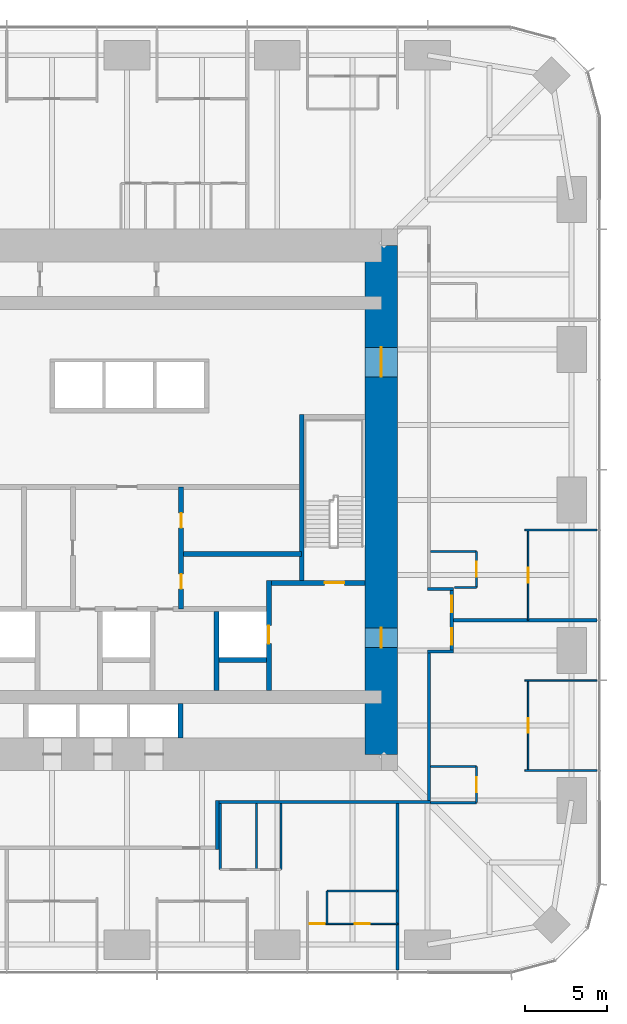
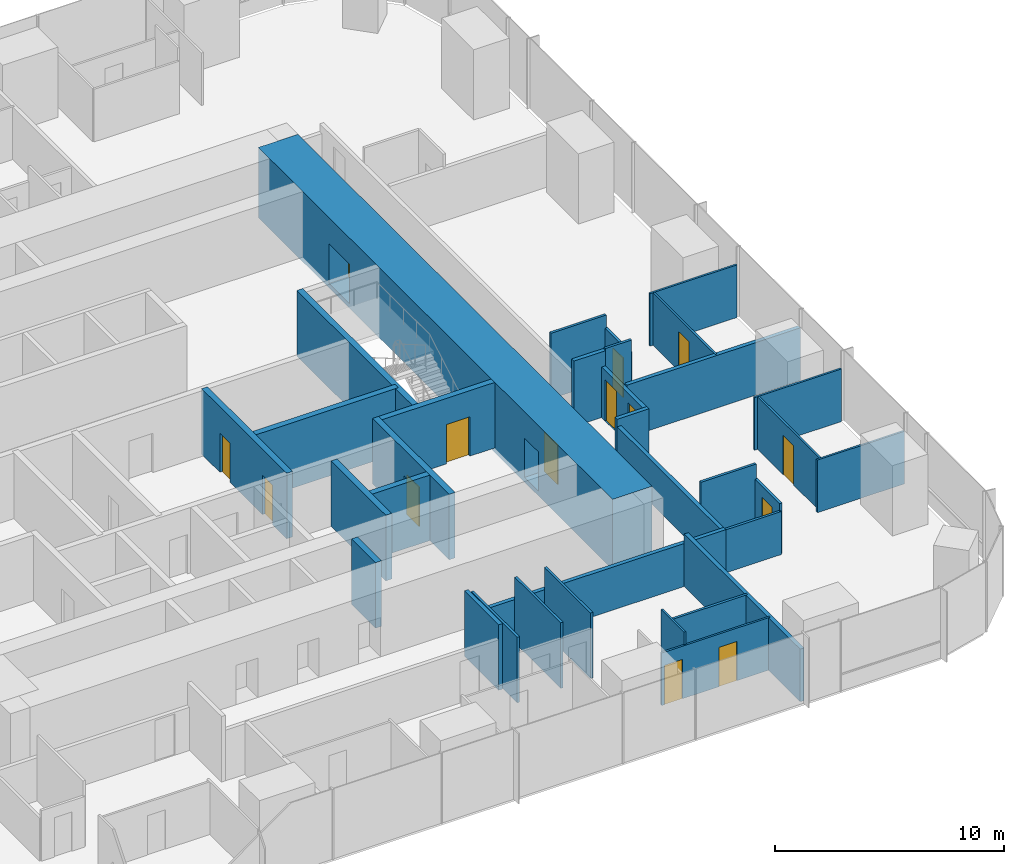
# One storey, part 10 of 13: 34 walls, 14 doors, 14 openings.
"""IFC4 building model written with IfcOpenShell, lengths in metres."""

from ifc_helpers import new_model, si_unit, direction, frame, frame_2d, origin, place, context, subcontext, project, spatial, rectangle, extrude, material, layer, layer_set, type_object, element, fill, save


model = new_model("IFC4")

# Units and contexts
model_context = context("Model", 3, precision=1e-05, world=origin(), true_north=direction((0.0, 1.0)))
body_context = subcontext(model_context, "Body", "Model", "MODEL_VIEW")
ifc_project = project(units=[si_unit("LENGTHUNIT", "METRE"), si_unit("AREAUNIT", "SQUARE_METRE"), si_unit("VOLUMEUNIT", "CUBIC_METRE"), si_unit("PLANEANGLEUNIT", "RADIAN"), si_unit("MASSUNIT", "GRAM", prefix="KILO")], contexts=[model_context])

# Site, building, storey
site_placement = place(None, origin())
site = spatial("IfcSite", under=ifc_project, at=site_placement, CompositionType="ELEMENT")
building_placement = place(site_placement, origin())
building = spatial("IfcBuilding", under=site, at=building_placement, Name="Khuree Lantern Residences", CompositionType="ELEMENT")
storey_placement = place(building_placement, frame((0.0, 0.0, 144.75)))
storey = spatial("IfcBuildingStorey", under=building, at=storey_placement, Name="L36", CompositionType="ELEMENT", Elevation=144.75)

# Wall, opening, door
ifc_material_1 = material(Name="Moisture-resistant gypsum board on steel studs", Category="steel")
ifc_layer_1 = layer(ifc_material_1, 0.125)
ifc_layer_set_1 = layer_set([ifc_layer_1], Name="BATHROOM WALL BTW125")
wall_type_1 = type_object("IfcWallType", Name="BATHROOM WALL BTW125", PredefinedType="PARTITIONING", material=ifc_layer_set_1)
wall_1_placement = place(storey_placement, frame((21.300048828125, -5.327880859375, 0.0), z_axis=(0.0, 0.0, 1.0), x_axis=(0.0, 1.0, 0.0)))
wall_1 = element("IfcWall", 1, at=wall_1_placement, inside=storey, type_object=wall_type_1, Name="L36 BATHROOM WALL 01", PredefinedType="PARTITIONING", context=body_context, shape_type="SweptSolid", body=[
    extrude(rectangle(XDim=2.199951171875, YDim=0.125, at=frame_2d((1.10009765625, 0.0))), origin(), (0.0, 0.0, 1.0), 2.81005859375),
])
opening_1_placement = place(wall_1_placement, frame((0.64990234375, 0.0, 0.0)))
opening_1 = element("IfcOpeningElement", 2, at=opening_1_placement, cuts=wall_1, Name="Opening 36-024", PredefinedType="OPENING", context=body_context, shape_type="SweptSolid", body=[
    extrude(rectangle(XDim=0.89990234375, YDim=2.10009765625, at=frame_2d((0.449951171875, 1.050048828125))), frame((0.0, 0.072509765625, 0.0), z_axis=(0.0, -1.0, 0.0), x_axis=(1.0, 0.0, 0.0)), (0.0, 0.0, 1.0), 0.14501953125),
])
ifc_material_2 = material(Name="Timber door leaf in hardwood frame", Category="wood")
door_type_1 = type_object("IfcDoorType", Name="BATHROOM DOOR 900X2100", OperationType="SINGLE_SWING_LEFT", PredefinedType="DOOR", material=ifc_material_2)
door_1_placement = place(opening_1_placement, origin())
door_1 = element("IfcDoor", 3, at=door_1_placement, inside=storey, type_object=door_type_1, Name="Bathroom door 36-024", OperationType="SINGLE_SWING_LEFT", OverallHeight=2.10009765625, OverallWidth=0.89990234375, PredefinedType="DOOR", context=body_context, shape_type="SweptSolid", body=[
    extrude(rectangle(XDim=0.89990234375, YDim=2.10009765625, at=frame_2d((0.449951171875, 1.050048828125))), frame((0.0, 0.02490234375, 0.0), z_axis=(0.0, -1.0, 0.0), x_axis=(1.0, 0.0, 0.0)), (0.0, 0.0, 1.0), 0.050048828125),
])
fill(opening_1, door_1)

# Walls
wall_2_placement = place(storey_placement, frame((19.969970703125, -5.327880859375, 0.0), z_axis=(0.0, 0.0, 1.0), x_axis=(1.0, 0.0, 0.0)))
element("IfcWall", 4, at=wall_2_placement, inside=storey, type_object=wall_type_1, Name="L36 BATHROOM WALL 01", PredefinedType="PARTITIONING", context=body_context, shape_type="SweptSolid", body=[
    extrude(rectangle(XDim=1.330078125, YDim=0.125, at=frame_2d((0.6650390625, 0.0))), origin(), (0.0, 0.0, 1.0), 3.5),
])
wall_3_placement = place(storey_placement, frame((18.5, -3.1279296875, 0.0), z_axis=(0.0, 0.0, 1.0), x_axis=(1.0, 0.0, 0.0)))
element("IfcWall", 5, at=wall_3_placement, inside=storey, type_object=wall_type_1, Name="L36 BATHROOM WALL 01", PredefinedType="PARTITIONING", context=body_context, shape_type="SweptSolid", body=[
    extrude(rectangle(XDim=2.800048828125, YDim=0.125, at=frame_2d((1.39990234375, 0.0))), origin(), (0.0, 0.0, 1.0), 3.5),
])
wall_4_placement = place(storey_placement, frame((12.19189453125, -23.829833984375, 0.0), z_axis=(0.0, 0.0, 1.0), x_axis=(1.0, 0.0, 0.0)))
element("IfcWall", 6, at=wall_4_placement, inside=storey, type_object=wall_type_1, Name="L36 BATHROOM WALL 06", PredefinedType="PARTITIONING", context=body_context, shape_type="SweptSolid", body=[
    extrude(rectangle(XDim=4.296142578125, YDim=0.125, at=frame_2d((2.14794921875, 0.0))), origin(), (0.0, 0.0, 1.0), 2.81005859375),
])
for number, where, z_axis, x_axis, name in (
    (7, (5.68359375, -18.5, 0.0), (0.0, 0.0, 1.0), (0.0, -1.0, 0.0), "L36 BATHROOM WALL 06"),
    (8, (7.883544921875, -18.5, 0.0), (0.0, 0.0, 1.0), (0.0, -1.0, 0.0), "L36 BATHROOM WALL 06"),
    (9, (9.383544921875, -18.5, 0.0), (0.0, 0.0, 1.0), (0.0, -1.0, 0.0), "L36 BATHROOM WALL 06"),
):
    element("IfcWall", number, at=place(storey_placement, frame(where, z_axis=z_axis, x_axis=x_axis)), inside=storey, type_object=wall_type_1, Name=name, PredefinedType="PARTITIONING", context=body_context, shape_type="SweptSolid", body=[
        extrude(rectangle(XDim=4.02978515625, YDim=0.125, at=frame_2d((2.014892578125, 0.0))), origin(), (0.0, 0.0, 1.0), 3.5),
    ])

# Wall, opening, door
wall_5_placement = place(storey_placement, frame((21.300048828125, -18.449951171875, 0.0), z_axis=(0.0, 0.0, 1.0), x_axis=(0.0, 1.0, 0.0)))
wall_5 = element("IfcWall", 10, at=wall_5_placement, inside=storey, type_object=wall_type_1, Name="L36 BATHROOM WALL 07", PredefinedType="PARTITIONING", context=body_context, shape_type="SweptSolid", body=[
    extrude(rectangle(XDim=2.199951171875, YDim=0.125, at=frame_2d((1.10009765625, 0.0))), origin(), (0.0, 0.0, 1.0), 2.699951171875),
])
opening_2_placement = place(wall_5_placement, frame((0.64990234375, 0.0, 0.0)))
opening_2 = element("IfcOpeningElement", 11, at=opening_2_placement, cuts=wall_5, Name="Opening 36-060", PredefinedType="OPENING", context=body_context, shape_type="SweptSolid", body=[
    extrude(rectangle(XDim=0.89990234375, YDim=2.10009765625, at=frame_2d((0.449951171875, 1.050048828125))), frame((0.0, 0.072509765625, 0.0), z_axis=(0.0, -1.0, 0.0), x_axis=(1.0, 0.0, 0.0)), (0.0, 0.0, 1.0), 0.14501953125),
])
door_2_placement = place(opening_2_placement, origin())
door_2 = element("IfcDoor", 12, at=door_2_placement, inside=storey, type_object=door_type_1, Name="Bathroom door 36-060", OperationType="SINGLE_SWING_LEFT", OverallHeight=2.10009765625, OverallWidth=0.89990234375, PredefinedType="DOOR", context=body_context, shape_type="SweptSolid", body=[
    extrude(rectangle(XDim=0.89990234375, YDim=2.10009765625, at=frame_2d((0.449951171875, 1.050048828125))), frame((0.0, 0.02490234375, 0.0), z_axis=(0.0, -1.0, 0.0), x_axis=(1.0, 0.0, 0.0)), (0.0, 0.0, 1.0), 0.050048828125),
])
fill(opening_2, door_2)

# Walls
wall_6_placement = place(storey_placement, frame((18.5, -18.449951171875, 0.0), z_axis=(0.0, 0.0, 1.0), x_axis=(1.0, 0.0, 0.0)))
element("IfcWall", 13, at=wall_6_placement, inside=storey, type_object=wall_type_1, Name="L36 BATHROOM WALL 07", PredefinedType="PARTITIONING", context=body_context, shape_type="SweptSolid", body=[
    extrude(rectangle(XDim=2.800048828125, YDim=0.125, at=frame_2d((1.39990234375, 0.0))), origin(), (0.0, 0.0, 1.0), 2.300048828125),
])
wall_7_placement = place(storey_placement, frame((18.5, -16.25, 0.0), z_axis=(0.0, 0.0, 1.0), x_axis=(1.0, 0.0, 0.0)))
element("IfcWall", 14, at=wall_7_placement, inside=storey, type_object=wall_type_1, Name="L36 BATHROOM WALL 07", PredefinedType="PARTITIONING", context=body_context, shape_type="SweptSolid", body=[
    extrude(rectangle(XDim=2.800048828125, YDim=0.125, at=frame_2d((1.39990234375, 0.0))), origin(), (0.0, 0.0, 1.0), 3.5),
])

# Wall, opening, door
ifc_material_3 = material(Name="Dense concrete blockwork", Category="masonry")
ifc_layer_2 = layer(ifc_material_3, 0.300048828125)
ifc_layer_set_2 = layer_set([ifc_layer_2], Name="CORE PARTITION WALL CPW300 EI 120")
wall_type_2 = type_object("IfcWallType", Name="CORE PARTITION WALL CPW300 EI 120", PredefinedType="PARTITIONING", material=ifc_layer_set_2)
wall_8_placement = place(storey_placement, frame((8.64990234375, -11.60009765625, 0.0), z_axis=(0.0, 0.0, 1.0), x_axis=(0.0, 1.0, 0.0)))
wall_8 = element("IfcWall", 15, at=wall_8_placement, inside=storey, type_object=wall_type_2, Name="L36 CORE WALL FL2E", PredefinedType="PARTITIONING", context=body_context, shape_type="SweptSolid", body=[
    extrude(rectangle(XDim=6.7001953125, YDim=0.300048828125, at=frame_2d((3.35009765625, 0.0))), origin(), (0.0, 0.0, 1.0), 3.5),
])
opening_3_placement = place(wall_8_placement, frame((2.85009765625, 0.0, 0.0)))
opening_3 = element("IfcOpeningElement", 16, at=opening_3_placement, cuts=wall_8, Name="Opening 36-008", PredefinedType="OPENING", context=body_context, shape_type="SweptSolid", body=[
    extrude(rectangle(XDim=1.10009765625, YDim=2.10009765625, at=frame_2d((0.550048828125, 1.050048828125))), frame((0.0, 0.16015625, 0.0), z_axis=(0.0, -1.0, 0.0), x_axis=(1.0, 0.0, 0.0)), (0.0, 0.0, 1.0), 0.320068359375),
])
ifc_material_4 = material(Name="Stainless steel lift landing door", Category="steel")
door_type_2 = type_object("IfcDoorType", Name="LIFT LANDING DOOR 1100X2100 E 120", OperationType="DOUBLE_DOOR_SLIDING", PredefinedType="DOOR", material=ifc_material_4)
door_3_placement = place(opening_3_placement, origin())
door_3 = element("IfcDoor", 17, at=door_3_placement, inside=storey, type_object=door_type_2, Name="Landing door FL2 36-008", OperationType="DOUBLE_DOOR_SLIDING", OverallHeight=2.10009765625, OverallWidth=1.10009765625, PredefinedType="DOOR", context=body_context, shape_type="SweptSolid", body=[
    extrude(rectangle(XDim=1.10009765625, YDim=2.10009765625, at=frame_2d((0.550048828125, 1.050048828125))), frame((0.0, 0.02490234375, 0.0), z_axis=(0.0, -1.0, 0.0), x_axis=(1.0, 0.0, 0.0)), (0.0, 0.0, 1.0), 0.050048828125),
])
fill(opening_3, door_3)

# Walls
wall_9_placement = place(storey_placement, frame((5.449951171875, -11.60009765625, 0.0), z_axis=(0.0, 0.0, 1.0), x_axis=(0.0, 1.0, 0.0)))
element("IfcWall", 18, at=wall_9_placement, inside=storey, type_object=wall_type_2, Name="L36 CORE WALL FL2W", PredefinedType="PARTITIONING", context=body_context, shape_type="SweptSolid", body=[
    extrude(rectangle(XDim=4.800048828125, YDim=0.300048828125, at=frame_2d((2.39990234375, 0.0))), origin(), (0.0, 0.0, 1.0), 3.5),
])
wall_10_placement = place(storey_placement, frame((5.60009765625, -9.75, 0.0), z_axis=(0.0, 0.0, 1.0), x_axis=(1.0, 0.0, 0.0)))
element("IfcWall", 19, at=wall_10_placement, inside=storey, type_object=wall_type_2, Name="L36 CORE WALL FL2S", PredefinedType="PARTITIONING", context=body_context, shape_type="SweptSolid", body=[
    extrude(rectangle(XDim=2.89990234375, YDim=0.300048828125, at=frame_2d((1.449951171875, 0.0))), origin(), (0.0, 0.0, 1.0), 3.5),
])
wall_11_placement = place(storey_placement, frame((3.25, -14.5, 0.0), z_axis=(0.0, 0.0, 1.0), x_axis=(0.0, 1.0, 0.0)))
element("IfcWall", 20, at=wall_11_placement, inside=storey, type_object=wall_type_2, Name="L36 CORE WALL PME", PredefinedType="PARTITIONING", context=body_context, shape_type="SweptSolid", body=[
    extrude(rectangle(XDim=2.10009765625, YDim=0.300048828125, at=frame_2d((1.050048828125, 0.0))), origin(), (0.0, 0.0, 1.0), 3.5),
])

# Wall, openings, doors
wall_12_placement = place(storey_placement, frame((3.300048828125, -6.64990234375, 0.0), z_axis=(0.0, 0.0, 1.0), x_axis=(0.0, 1.0, 0.0)))
wall_12 = element("IfcWall", 21, at=wall_12_placement, inside=storey, type_object=wall_type_2, Name="L36 CORE WALL SVE", PredefinedType="PARTITIONING", context=body_context, shape_type="SweptSolid", body=[
    extrude(rectangle(XDim=7.449951171875, YDim=0.300048828125, at=frame_2d((3.72509765625, 0.0))), origin(), (0.0, 0.0, 1.0), 3.5),
])
opening_4_placement = place(wall_12_placement, frame((1.23095703125, 0.0, 0.0)))
opening_4 = element("IfcOpeningElement", 22, at=opening_4_placement, cuts=wall_12, Name="Opening 36-018", PredefinedType="OPENING", context=body_context, shape_type="SweptSolid", body=[
    extrude(rectangle(XDim=0.89990234375, YDim=2.10009765625, at=frame_2d((0.449951171875, 1.050048828125))), frame((0.0, 0.16015625, 0.0), z_axis=(0.0, -1.0, 0.0), x_axis=(1.0, 0.0, 0.0)), (0.0, 0.0, 1.0), 0.320068359375),
])
opening_5_placement = place(wall_12_placement, frame((4.9560546875, 0.0, 0.0)))
opening_5 = element("IfcOpeningElement", 23, at=opening_5_placement, cuts=wall_12, Name="Opening 36-019", PredefinedType="OPENING", context=body_context, shape_type="SweptSolid", body=[
    extrude(rectangle(XDim=0.89990234375, YDim=2.10009765625, at=frame_2d((0.449951171875, 1.050048828125))), frame((0.0, 0.16015625, 0.0), z_axis=(0.0, -1.0, 0.0), x_axis=(1.0, 0.0, 0.0)), (0.0, 0.0, 1.0), 0.320068359375),
])
door_type_3 = type_object("IfcDoorType", Name="DOOR 900X2100", OperationType="SINGLE_SWING_LEFT", PredefinedType="DOOR", material=ifc_material_2)
door_4_placement = place(opening_4_placement, origin())
door_4 = element("IfcDoor", 24, at=door_4_placement, inside=storey, type_object=door_type_3, Name="Parcel room door 36-018", OperationType="SINGLE_SWING_LEFT", OverallHeight=2.10009765625, OverallWidth=0.89990234375, PredefinedType="DOOR", context=body_context, shape_type="SweptSolid", body=[
    extrude(rectangle(XDim=0.89990234375, YDim=2.10009765625, at=frame_2d((0.449951171875, 1.050048828125))), frame((0.0, 0.02490234375, 0.0), z_axis=(0.0, -1.0, 0.0), x_axis=(1.0, 0.0, 0.0)), (0.0, 0.0, 1.0), 0.050048828125),
])
fill(opening_4, door_4)
door_type_4 = type_object("IfcDoorType", Name="DOOR 900X2100 RIGHT HAND", OperationType="SINGLE_SWING_RIGHT", PredefinedType="DOOR", material=ifc_material_2)
door_5_placement = place(opening_5_placement, origin())
door_5 = element("IfcDoor", 25, at=door_5_placement, inside=storey, type_object=door_type_4, Name="Residents' store door 36-019", OperationType="SINGLE_SWING_RIGHT", OverallHeight=2.10009765625, OverallWidth=0.89990234375, PredefinedType="DOOR", context=body_context, shape_type="SweptSolid", body=[
    extrude(rectangle(XDim=0.89990234375, YDim=2.10009765625, at=frame_2d((0.449951171875, 1.050048828125))), frame((0.0, 0.02490234375, 0.0), z_axis=(0.0, -1.0, 0.0), x_axis=(1.0, 0.0, 0.0)), (0.0, 0.0, 1.0), 0.050048828125),
])
fill(opening_5, door_5)

# Walls
wall_13_placement = place(storey_placement, frame((10.64990234375, -3.2880859375, 0.0), z_axis=(0.0, 0.0, 1.0), x_axis=(-1.0, 0.0, 0.0)))
element("IfcWall", 26, at=wall_13_placement, inside=storey, type_object=wall_type_2, Name="L36 CORE WALL EX", PredefinedType="PARTITIONING", context=body_context, shape_type="SweptSolid", body=[
    extrude(rectangle(XDim=7.349853515625, YDim=0.300048828125, at=frame_2d((3.6748046875, 0.0))), origin(), (0.0, 0.0, 1.0), 3.5),
])
ifc_material_5 = material(Name="Gypsum board on steel studs", Category="steel")
ifc_layer_3 = layer(ifc_material_5, 0.199951171875)
ifc_layer_set_3 = layer_set([ifc_layer_3], Name="CORRIDOR WALL CRW200 EI 60")
wall_type_3 = type_object("IfcWallType", Name="CORRIDOR WALL CRW200 EI 60", PredefinedType="PARTITIONING", material=ifc_layer_set_3)
wall_14_placement = place(storey_placement, frame((18.39990234375, -18.300048828125, 0.0), z_axis=(0.0, 0.0, 1.0), x_axis=(0.0, 1.0, 0.0)))
element("IfcWall", 27, at=wall_14_placement, inside=storey, type_object=wall_type_3, Name="L36 CORRIDOR WALL EAST 1", PredefinedType="PARTITIONING", context=body_context, shape_type="SweptSolid", body=[
    extrude(rectangle(XDim=8.97216796875, YDim=0.199951171875, at=frame_2d((4.486083984375, 0.0))), origin(), (0.0, 0.0, 1.0), 2.300048828125),
])
wall_15_placement = place(storey_placement, frame((18.300048828125, -9.22802734375, 0.0), z_axis=(0.0, 0.0, 1.0), x_axis=(1.0, 0.0, 0.0)))
element("IfcWall", 28, at=wall_15_placement, inside=storey, type_object=wall_type_3, Name="L36 CORRIDOR ALCOVE WALL EAST", PredefinedType="PARTITIONING", context=body_context, shape_type="SweptSolid", body=[
    extrude(rectangle(XDim=1.599853515625, YDim=0.199951171875, at=frame_2d((0.7998046875, 0.0))), origin(), (0.0, 0.0, 1.0), 2.699951171875),
])
wall_16_placement = place(storey_placement, frame((18.300048828125, -5.427978515625, 0.0), z_axis=(0.0, 0.0, 1.0), x_axis=(1.0, 0.0, 0.0)))
element("IfcWall", 29, at=wall_16_placement, inside=storey, type_object=wall_type_3, Name="L36 CORRIDOR ALCOVE WALL EAST", PredefinedType="PARTITIONING", context=body_context, shape_type="SweptSolid", body=[
    extrude(rectangle(XDim=1.599853515625, YDim=0.199951171875, at=frame_2d((0.7998046875, 0.0))), origin(), (0.0, 0.0, 1.0), 3.5),
])

# Wall, openings, doors
wall_17_placement = place(storey_placement, frame((19.800048828125, -9.1279296875, 0.0), z_axis=(0.0, 0.0, 1.0), x_axis=(0.0, 1.0, 0.0)))
wall_17 = element("IfcWall", 30, at=wall_17_placement, inside=storey, type_object=wall_type_3, Name="L36 CORRIDOR ALCOVE WALL EAST", PredefinedType="PARTITIONING", context=body_context, shape_type="SweptSolid", body=[
    extrude(rectangle(XDim=3.599853515625, YDim=0.199951171875, at=frame_2d((1.7998046875, 0.0))), origin(), (0.0, 0.0, 1.0), 2.699951171875),
])
opening_6_placement = place(wall_17_placement, frame((2.300048828125, 0.0, 0.0)))
opening_6 = element("IfcOpeningElement", 31, at=opening_6_placement, cuts=wall_17, Name="Opening 36-025", PredefinedType="OPENING", context=body_context, shape_type="SweptSolid", body=[
    extrude(rectangle(XDim=1.0, YDim=2.199951171875, at=frame_2d((0.5, 1.10009765625))), frame((0.0, 0.10986328125, 0.0), z_axis=(0.0, -1.0, 0.0), x_axis=(1.0, 0.0, 0.0)), (0.0, 0.0, 1.0), 0.219970703125),
])
opening_7_placement = place(wall_17_placement, frame((0.300048828125, 0.0, 0.0)))
opening_7 = element("IfcOpeningElement", 32, at=opening_7_placement, cuts=wall_17, Name="Opening 36-061", PredefinedType="OPENING", context=body_context, shape_type="SweptSolid", body=[
    extrude(rectangle(XDim=1.0, YDim=2.199951171875, at=frame_2d((0.5, 1.10009765625))), frame((0.0, 0.10986328125, 0.0), z_axis=(0.0, -1.0, 0.0), x_axis=(1.0, 0.0, 0.0)), (0.0, 0.0, 1.0), 0.219970703125),
])
door_type_5 = type_object("IfcDoorType", Name="APARTMENT ENTRANCE DOOR 1000X2200 EI 30S", OperationType="SINGLE_SWING_LEFT", PredefinedType="DOOR", material=ifc_material_2)
door_6_placement = place(opening_7_placement, origin())
door_6 = element("IfcDoor", 33, at=door_6_placement, inside=storey, type_object=door_type_5, Name="Apartment 07 entrance door 36-061", OperationType="SINGLE_SWING_LEFT", OverallHeight=2.199951171875, OverallWidth=1.0, PredefinedType="DOOR", context=body_context, shape_type="SweptSolid", body=[
    extrude(rectangle(XDim=1.0, YDim=2.199951171875, at=frame_2d((0.5, 1.10009765625))), frame((0.0, 0.02490234375, 0.0), z_axis=(0.0, -1.0, 0.0), x_axis=(1.0, 0.0, 0.0)), (0.0, 0.0, 1.0), 0.050048828125),
])
fill(opening_7, door_6)
door_type_6 = type_object("IfcDoorType", Name="APARTMENT ENTRANCE DOOR 1000X2200 EI 30S RIGHT HAND", OperationType="SINGLE_SWING_RIGHT", PredefinedType="DOOR", material=ifc_material_2)
door_7_placement = place(opening_6_placement, origin())
door_7 = element("IfcDoor", 34, at=door_7_placement, inside=storey, type_object=door_type_6, Name="Apartment 01 entrance door 36-025", OperationType="SINGLE_SWING_RIGHT", OverallHeight=2.199951171875, OverallWidth=1.0, PredefinedType="DOOR", context=body_context, shape_type="SweptSolid", body=[
    extrude(rectangle(XDim=1.0, YDim=2.199951171875, at=frame_2d((0.5, 1.10009765625))), frame((0.0, 0.02490234375, 0.0), z_axis=(0.0, -1.0, 0.0), x_axis=(1.0, 0.0, 0.0)), (0.0, 0.0, 1.0), 0.050048828125),
])
fill(opening_6, door_7)

# Walls
wall_18_placement = place(storey_placement, frame((18.5, -18.39990234375, 0.0), z_axis=(0.0, 0.0, 1.0), x_axis=(-1.0, 0.0, 0.0)))
element("IfcWall", 35, at=wall_18_placement, inside=storey, type_object=wall_type_3, Name="L36 CORRIDOR WALL SOUTH 1", PredefinedType="PARTITIONING", context=body_context, shape_type="SweptSolid", body=[
    extrude(rectangle(XDim=12.89990234375, YDim=0.199951171875, at=frame_2d((6.449951171875, 0.0))), origin(), (0.0, 0.0, 1.0), 2.300048828125),
])
wall_19_placement = place(storey_placement, frame((5.5, -18.300048828125, 0.0), z_axis=(0.0, 0.0, 1.0), x_axis=(0.0, -1.0, 0.0)))
element("IfcWall", 36, at=wall_19_placement, inside=storey, type_object=wall_type_3, Name="L36 LIFT LOBBY WALL", PredefinedType="PARTITIONING", context=body_context, shape_type="SweptSolid", body=[
    extrude(rectangle(XDim=3.0, YDim=0.199951171875, at=frame_2d((1.5, 0.0))), origin(), (0.0, 0.0, 1.0), 3.5),
])

# Wall, openings, doors
ifc_material_6 = material(Name="Concrete C70/85", Category="concrete")
ifc_layer_4 = layer(ifc_material_6, 2.0)
ifc_layer_set_4 = layer_set([ifc_layer_4], Name="CW2000-C70 CORE WALL C70 2000")
wall_type_4 = type_object("IfcWallType", Name="CW2000-C70 CORE WALL C70 2000", PredefinedType="SHEAR", material=ifc_layer_set_4)
wall_20_placement = place(storey_placement, frame((15.5, -15.5, -0.25), z_axis=(0.0, 0.0, 1.0), x_axis=(0.0, 1.0, 0.0)))
wall_20 = element("IfcWall", 37, at=wall_20_placement, inside=storey, type_object=wall_type_4, Name="Core wall E", PredefinedType="SHEAR", context=body_context, shape_type="SweptSolid", body=[
    extrude(rectangle(XDim=31.0, YDim=2.0, at=frame_2d((15.5, 0.0))), origin(), (0.0, 0.0, 1.0), 3.75),
])
opening_8_placement = place(wall_20_placement, frame((6.5, 0.0, 0.25)))
opening_8 = element("IfcOpeningElement", 38, at=opening_8_placement, cuts=wall_20, Name="Opening 36-005", PredefinedType="OPENING", context=body_context, shape_type="SweptSolid", body=[
    extrude(rectangle(XDim=1.199951171875, YDim=2.10009765625, at=frame_2d((0.60009765625, 1.050048828125))), frame((0.0, 1.010009765625, 0.0), z_axis=(0.0, -1.0, 0.0), x_axis=(1.0, 0.0, 0.0)), (0.0, 0.0, 1.0), 2.02001953125),
])
opening_9_placement = place(wall_20_placement, frame((23.0, 0.0, 0.25)))
opening_9 = element("IfcOpeningElement", 39, at=opening_9_placement, cuts=wall_20, Name="Opening 36-006", PredefinedType="OPENING", context=body_context, shape_type="SweptSolid", body=[
    extrude(rectangle(XDim=1.800048828125, YDim=2.10009765625, at=frame_2d((0.89990234375, 1.050048828125))), frame((0.0, 1.010009765625, 0.0), z_axis=(0.0, -1.0, 0.0), x_axis=(1.0, 0.0, 0.0)), (0.0, 0.0, 1.0), 2.02001953125),
])
ifc_material_7 = material(Name="Steel door leaf in steel frame", Category="steel")
door_type_7 = type_object("IfcDoorType", Name="LOBBY DOOR 1200X2100 EI 120", OperationType="SINGLE_SWING_LEFT", PredefinedType="DOOR", material=ifc_material_7)
door_8_placement = place(opening_8_placement, origin())
door_8 = element("IfcDoor", 40, at=door_8_placement, inside=storey, type_object=door_type_7, Name="Firefighting lobby door 36-005", OperationType="SINGLE_SWING_LEFT", OverallHeight=2.10009765625, OverallWidth=1.199951171875, PredefinedType="DOOR", context=body_context, shape_type="SweptSolid", body=[
    extrude(rectangle(XDim=1.199951171875, YDim=2.10009765625, at=frame_2d((0.60009765625, 1.050048828125))), frame((0.0, 0.02490234375, 0.0), z_axis=(0.0, -1.0, 0.0), x_axis=(1.0, 0.0, 0.0)), (0.0, 0.0, 1.0), 0.050048828125),
])
fill(opening_8, door_8)
door_type_8 = type_object("IfcDoorType", Name="LOBBY DOUBLE DOOR 1800X2100 EI 60", OperationType="DOUBLE_DOOR_SINGLE_SWING", PredefinedType="DOOR", material=ifc_material_7)
door_9_placement = place(opening_9_placement, origin())
door_9 = element("IfcDoor", 41, at=door_9_placement, inside=storey, type_object=door_type_8, Name="Lift lobby door 36-006", OperationType="DOUBLE_DOOR_SINGLE_SWING", OverallHeight=2.10009765625, OverallWidth=1.800048828125, PredefinedType="DOOR", context=body_context, shape_type="SweptSolid", body=[
    extrude(rectangle(XDim=1.800048828125, YDim=2.10009765625, at=frame_2d((0.89990234375, 1.050048828125))), frame((0.0, 0.02490234375, 0.0), z_axis=(0.0, -1.0, 0.0), x_axis=(1.0, 0.0, 0.0)), (0.0, 0.0, 1.0), 0.050048828125),
])
fill(opening_9, door_9)

# Walls
ifc_layer_5 = layer(ifc_material_5, 0.199951171875)
ifc_layer_set_5 = layer_set([ifc_layer_5], Name="DEMISING WALL DMW200 EI 90")
wall_type_5 = type_object("IfcWallType", Name="DEMISING WALL DMW200 EI 90", PredefinedType="PARTITIONING", material=ifc_layer_set_5)
wall_21_placement = place(storey_placement, frame((19.89990234375, -7.327880859375, 0.0), z_axis=(0.0, 0.0, 1.0), x_axis=(1.0, 0.0, 0.0)))
element("IfcWall", 42, at=wall_21_placement, inside=storey, type_object=wall_type_5, Name="L36 DEMISING WALL 01", PredefinedType="PARTITIONING", context=body_context, shape_type="SweptSolid", body=[
    extrude(rectangle(XDim=8.75, YDim=0.199951171875, at=frame_2d((4.375, 0.0))), origin(), (0.0, 0.0, 1.0), 2.81005859375),
])
wall_22_placement = place(storey_placement, frame((16.488037109375, -18.5, 0.0), z_axis=(0.0, 0.0, 1.0), x_axis=(0.0, -1.0, 0.0)))
element("IfcWall", 43, at=wall_22_placement, inside=storey, type_object=wall_type_5, Name="L36 DEMISING WALL 07", PredefinedType="PARTITIONING", context=body_context, shape_type="SweptSolid", body=[
    extrude(rectangle(XDim=10.14990234375, YDim=0.199951171875, at=frame_2d((5.074951171875, 0.0))), origin(), (0.0, 0.0, 1.0), 2.81005859375),
])
ifc_layer_6 = layer(ifc_material_5, 0.10009765625)
ifc_layer_set_6 = layer_set([ifc_layer_6], Name="PARTITION PT100")
wall_type_6 = type_object("IfcWallType", Name="PARTITION PT100", PredefinedType="PARTITIONING", material=ifc_layer_set_6)
for number, where, z_axis, x_axis, name in (
    (44, (24.25, -1.83203125, 0.0), (0.0, 0.0, 1.0), (1.0, 0.0, 0.0), "L36 PARTITION 01"),
    (45, (24.25, -16.488037109375, 0.0), (0.0, 0.0, 1.0), (1.0, 0.0, 0.0), "L36 PARTITION 07"),
    (46, (24.25, -10.991943359375, 0.0), (0.0, 0.0, 1.0), (1.0, 0.0, 0.0), "L36 PARTITION 07"),
):
    element("IfcWall", number, at=place(storey_placement, frame(where, z_axis=z_axis, x_axis=x_axis)), inside=storey, type_object=wall_type_6, Name=name, PredefinedType="PARTITIONING", context=body_context, shape_type="SweptSolid", body=[
        extrude(rectangle(XDim=4.39990234375, YDim=0.10009765625, at=frame_2d((2.199951171875, 0.0))), origin(), (0.0, 0.0, 1.0), 2.81005859375),
    ])

# Wall, opening, door
wall_23_placement = place(storey_placement, frame((24.449951171875, -7.327880859375, 0.0), z_axis=(0.0, 0.0, 1.0), x_axis=(0.0, 1.0, 0.0)))
wall_23 = element("IfcWall", 47, at=wall_23_placement, inside=storey, type_object=wall_type_6, Name="L36 PARTITION 01", PredefinedType="PARTITIONING", context=body_context, shape_type="SweptSolid", body=[
    extrude(rectangle(XDim=5.495849609375, YDim=0.10009765625, at=frame_2d((2.748046875, 0.0))), origin(), (0.0, 0.0, 1.0), 2.81005859375),
])
opening_10_placement = place(wall_23_placement, frame((2.298095703125, 0.0, 0.0)))
opening_10 = element("IfcOpeningElement", 48, at=opening_10_placement, cuts=wall_23, Name="Opening 36-023", PredefinedType="OPENING", context=body_context, shape_type="SweptSolid", body=[
    extrude(rectangle(XDim=0.89990234375, YDim=2.10009765625, at=frame_2d((0.449951171875, 1.050048828125))), frame((0.0, 0.06005859375, 0.0), z_axis=(0.0, -1.0, 0.0), x_axis=(1.0, 0.0, 0.0)), (0.0, 0.0, 1.0), 0.1201171875),
])
door_type_9 = type_object("IfcDoorType", Name="BEDROOM DOOR 900X2100", OperationType="SINGLE_SWING_LEFT", PredefinedType="DOOR", material=ifc_material_2)
door_10_placement = place(opening_10_placement, origin())
door_10 = element("IfcDoor", 49, at=door_10_placement, inside=storey, type_object=door_type_9, Name="Bedroom door 36-023", OperationType="SINGLE_SWING_LEFT", OverallHeight=2.10009765625, OverallWidth=0.89990234375, PredefinedType="DOOR", context=body_context, shape_type="SweptSolid", body=[
    extrude(rectangle(XDim=0.89990234375, YDim=2.10009765625, at=frame_2d((0.449951171875, 1.050048828125))), frame((0.0, 0.02490234375, 0.0), z_axis=(0.0, -1.0, 0.0), x_axis=(1.0, 0.0, 0.0)), (0.0, 0.0, 1.0), 0.050048828125),
])
fill(opening_10, door_10)

# Wall, openings, doors
wall_24_placement = place(storey_placement, frame((10.991943359375, -25.829833984375, 0.0), z_axis=(0.0, 0.0, 1.0), x_axis=(1.0, 0.0, 0.0)))
wall_24 = element("IfcWall", 50, at=wall_24_placement, inside=storey, type_object=wall_type_6, Name="L36 PARTITION 06", PredefinedType="PARTITIONING", context=body_context, shape_type="SweptSolid", body=[
    extrude(rectangle(XDim=5.49609375, YDim=0.10009765625, at=frame_2d((2.748046875, 0.0))), origin(), (0.0, 0.0, 1.0), 2.81005859375),
])
opening_11_placement = place(wall_24_placement, frame((0.14990234375, 0.0, 0.0)))
opening_11 = element("IfcOpeningElement", 51, at=opening_11_placement, cuts=wall_24, Name="Opening 36-054", PredefinedType="OPENING", context=body_context, shape_type="SweptSolid", body=[
    extrude(rectangle(XDim=0.89990234375, YDim=2.10009765625, at=frame_2d((0.449951171875, 1.050048828125))), frame((0.0, 0.06005859375, 0.0), z_axis=(0.0, -1.0, 0.0), x_axis=(1.0, 0.0, 0.0)), (0.0, 0.0, 1.0), 0.1201171875),
])
opening_12_placement = place(wall_24_placement, frame((2.89794921875, 0.0, 0.0)))
opening_12 = element("IfcOpeningElement", 52, at=opening_12_placement, cuts=wall_24, Name="Opening 36-055", PredefinedType="OPENING", context=body_context, shape_type="SweptSolid", body=[
    extrude(rectangle(XDim=0.89990234375, YDim=2.10009765625, at=frame_2d((0.449951171875, 1.050048828125))), frame((0.0, 0.06005859375, 0.0), z_axis=(0.0, -1.0, 0.0), x_axis=(1.0, 0.0, 0.0)), (0.0, 0.0, 1.0), 0.1201171875),
])
door_type_10 = type_object("IfcDoorType", Name="BATHROOM DOOR 900X2100 RIGHT HAND", OperationType="SINGLE_SWING_RIGHT", PredefinedType="DOOR", material=ifc_material_2)
door_11_placement = place(opening_12_placement, origin())
door_11 = element("IfcDoor", 53, at=door_11_placement, inside=storey, type_object=door_type_10, Name="Bathroom door 36-055", OperationType="SINGLE_SWING_RIGHT", OverallHeight=2.10009765625, OverallWidth=0.89990234375, PredefinedType="DOOR", context=body_context, shape_type="SweptSolid", body=[
    extrude(rectangle(XDim=0.89990234375, YDim=2.10009765625, at=frame_2d((0.449951171875, 1.050048828125))), frame((0.0, 0.02490234375, 0.0), z_axis=(0.0, -1.0, 0.0), x_axis=(1.0, 0.0, 0.0)), (0.0, 0.0, 1.0), 0.050048828125),
])
fill(opening_12, door_11)
door_12_placement = place(opening_11_placement, origin())
door_12 = element("IfcDoor", 54, at=door_12_placement, inside=storey, type_object=door_type_9, Name="Bedroom door 36-054", OperationType="SINGLE_SWING_LEFT", OverallHeight=2.10009765625, OverallWidth=0.89990234375, PredefinedType="DOOR", context=body_context, shape_type="SweptSolid", body=[
    extrude(rectangle(XDim=0.89990234375, YDim=2.10009765625, at=frame_2d((0.449951171875, 1.050048828125))), frame((0.0, 0.02490234375, 0.0), z_axis=(0.0, -1.0, 0.0), x_axis=(1.0, 0.0, 0.0)), (0.0, 0.0, 1.0), 0.050048828125),
])
fill(opening_11, door_12)

# Wall
wall_25_placement = place(storey_placement, frame((12.19189453125, -23.829833984375, 0.0), z_axis=(0.0, 0.0, 1.0), x_axis=(0.0, -1.0, 0.0)))
element("IfcWall", 55, at=wall_25_placement, inside=storey, type_object=wall_type_6, Name="L36 PARTITION 06", PredefinedType="PARTITIONING", context=body_context, shape_type="SweptSolid", body=[
    extrude(rectangle(XDim=2.0, YDim=0.10009765625, at=frame_2d((1.0, 0.0))), origin(), (0.0, 0.0, 1.0), 3.5),
])

# Wall, opening, door
wall_26_placement = place(storey_placement, frame((24.449951171875, -16.488037109375, 0.0), z_axis=(0.0, 0.0, 1.0), x_axis=(0.0, 1.0, 0.0)))
wall_26 = element("IfcWall", 56, at=wall_26_placement, inside=storey, type_object=wall_type_6, Name="L36 PARTITION 07", PredefinedType="PARTITIONING", context=body_context, shape_type="SweptSolid", body=[
    extrude(rectangle(XDim=5.49609375, YDim=0.10009765625, at=frame_2d((2.748046875, 0.0))), origin(), (0.0, 0.0, 1.0), 2.81005859375),
])
opening_13_placement = place(wall_26_placement, frame((2.298095703125, 0.0, 0.0)))
opening_13 = element("IfcOpeningElement", 57, at=opening_13_placement, cuts=wall_26, Name="Opening 36-059", PredefinedType="OPENING", context=body_context, shape_type="SweptSolid", body=[
    extrude(rectangle(XDim=0.89990234375, YDim=2.10009765625, at=frame_2d((0.449951171875, 1.050048828125))), frame((0.0, 0.06005859375, 0.0), z_axis=(0.0, -1.0, 0.0), x_axis=(1.0, 0.0, 0.0)), (0.0, 0.0, 1.0), 0.1201171875),
])
door_13_placement = place(opening_13_placement, origin())
door_13 = element("IfcDoor", 58, at=door_13_placement, inside=storey, type_object=door_type_9, Name="Bedroom door 36-059", OperationType="SINGLE_SWING_LEFT", OverallHeight=2.10009765625, OverallWidth=0.89990234375, PredefinedType="DOOR", context=body_context, shape_type="SweptSolid", body=[
    extrude(rectangle(XDim=0.89990234375, YDim=2.10009765625, at=frame_2d((0.449951171875, 1.050048828125))), frame((0.0, 0.02490234375, 0.0), z_axis=(0.0, -1.0, 0.0), x_axis=(1.0, 0.0, 0.0)), (0.0, 0.0, 1.0), 0.050048828125),
])
fill(opening_13, door_13)

# Wall
ifc_material_8 = material(Name="Concrete C50/60", Category="concrete")
ifc_layer_7 = layer(ifc_material_8, 0.300048828125)
ifc_layer_set_7 = layer_set([ifc_layer_7], Name="STAIR WALL SRW300 C50/60 REI 240")
wall_type_7 = type_object("IfcWallType", Name="STAIR WALL SRW300 C50/60 REI 240", PredefinedType="SOLIDWALL", material=ifc_layer_set_7)
wall_27_placement = place(storey_placement, frame((10.64990234375, -4.89990234375, 0.0), z_axis=(0.0, 0.0, 1.0), x_axis=(0.0, 1.0, 0.0)))
element("IfcWall", 59, at=wall_27_placement, inside=storey, type_object=wall_type_7, Name="L36 STAIR WALL ST2E", PredefinedType="SOLIDWALL", context=body_context, shape_type="SweptSolid", body=[
    extrude(rectangle(XDim=10.099853515625, YDim=0.300048828125, at=frame_2d((5.0498046875, 0.0))), origin(), (0.0, 0.0, 1.0), 3.5),
])

# Wall, opening, door
wall_28_placement = place(storey_placement, frame((14.5, -5.050048828125, 0.0), z_axis=(0.0, 0.0, 1.0), x_axis=(-1.0, 0.0, 0.0)))
wall_28 = element("IfcWall", 60, at=wall_28_placement, inside=storey, type_object=wall_type_7, Name="L36 STAIR WALL ST2S", PredefinedType="SOLIDWALL", context=body_context, shape_type="SweptSolid", body=[
    extrude(rectangle(XDim=5.699951171875, YDim=0.300048828125, at=frame_2d((2.85009765625, 0.0))), origin(), (0.0, 0.0, 1.0), 3.5),
])
opening_14_placement = place(wall_28_placement, frame((1.25, 0.0, 0.0)))
opening_14 = element("IfcOpeningElement", 61, at=opening_14_placement, cuts=wall_28, Name="Opening 36-004", PredefinedType="OPENING", context=body_context, shape_type="SweptSolid", body=[
    extrude(rectangle(XDim=1.199951171875, YDim=2.10009765625, at=frame_2d((0.60009765625, 1.050048828125))), frame((0.0, 0.16015625, 0.0), z_axis=(0.0, -1.0, 0.0), x_axis=(1.0, 0.0, 0.0)), (0.0, 0.0, 1.0), 0.320068359375),
])
door_type_11 = type_object("IfcDoorType", Name="STAIR DOOR 1200X2100 EI 120", OperationType="SINGLE_SWING_LEFT", PredefinedType="DOOR", material=ifc_material_7)
door_14_placement = place(opening_14_placement, origin())
door_14 = element("IfcDoor", 62, at=door_14_placement, inside=storey, type_object=door_type_11, Name="Stair ST2 door 36-004", OperationType="SINGLE_SWING_LEFT", OverallHeight=2.10009765625, OverallWidth=1.199951171875, PredefinedType="DOOR", context=body_context, shape_type="SweptSolid", body=[
    extrude(rectangle(XDim=1.199951171875, YDim=2.10009765625, at=frame_2d((0.60009765625, 1.050048828125))), frame((0.0, 0.02490234375, 0.0), z_axis=(0.0, -1.0, 0.0), x_axis=(1.0, 0.0, 0.0)), (0.0, 0.0, 1.0), 0.050048828125),
])
fill(opening_14, door_14)

save(model, "model.ifc")
